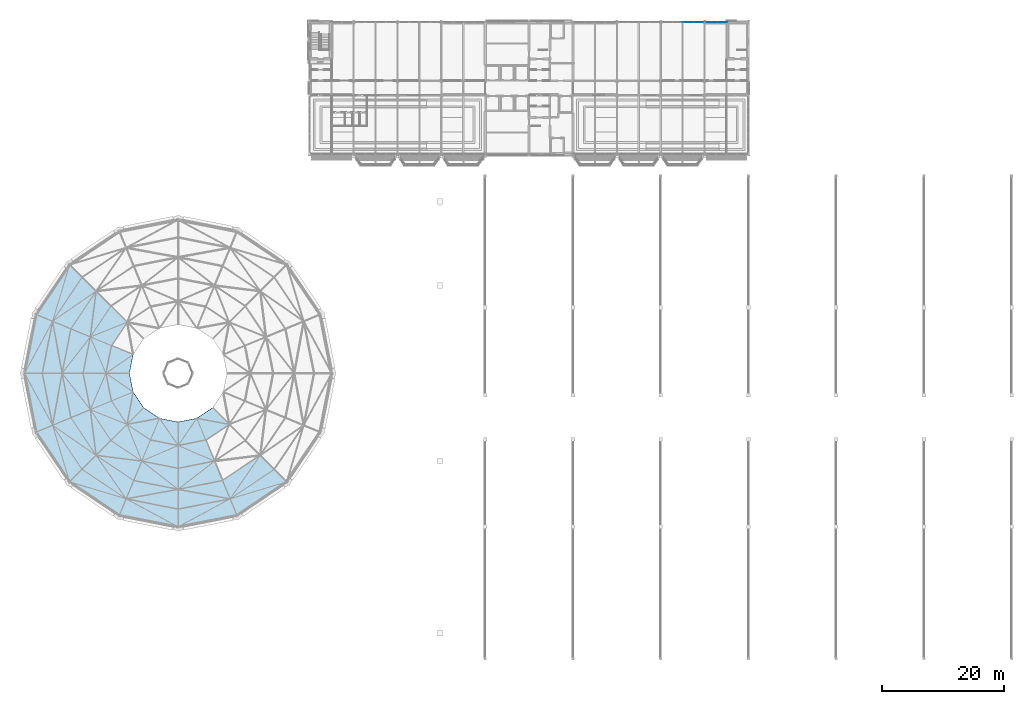
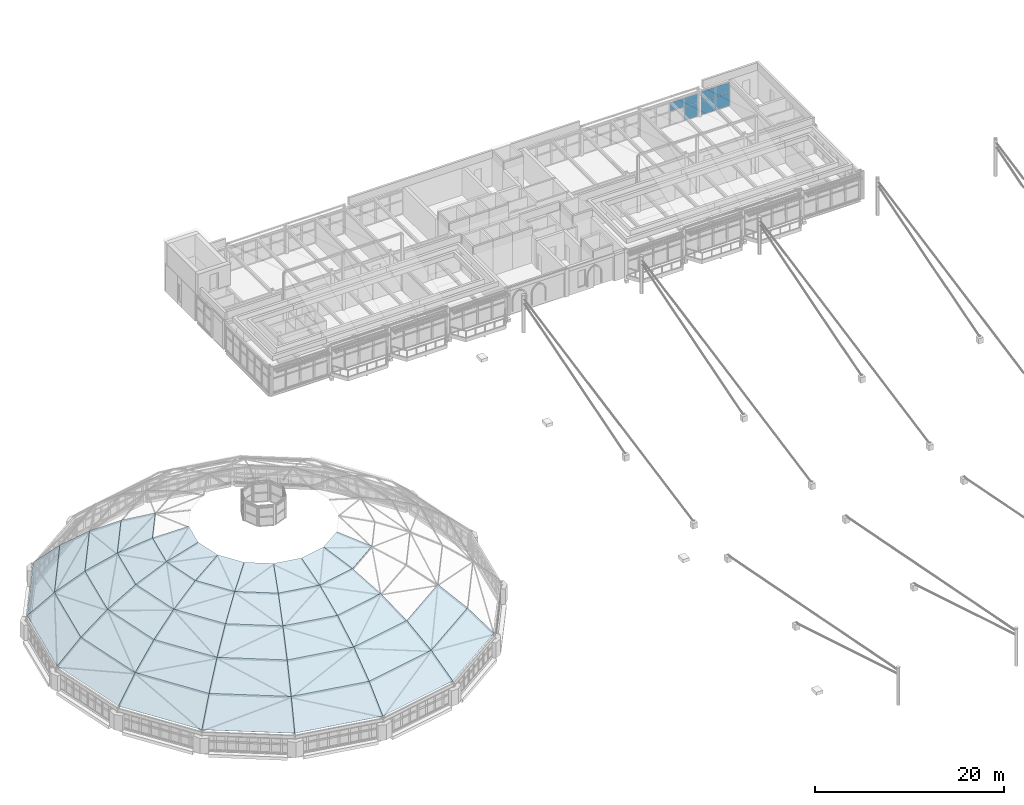
# One storey, part 47 of 68: 37 slabs, 7 plates, 2 elements without a shape of their own.
"""IFC4 building model written with IfcOpenShell, lengths in metres."""

from ifc_helpers import new_model, si_unit, direction, frame, origin, origin_2d, place, context, subcontext, project, spatial, rectangle, extrude, faceted_brep, material, layer, layer_set, type_object, element, aggregate, save


model = new_model("IFC4")

# Units and contexts
model_context = context("Model", 3, precision=1e-05, world=origin(), true_north=direction((0.0, 1.0)))
body_context = subcontext(model_context, "Body", "Model", "MODEL_VIEW")
ifc_project = project(units=[si_unit("LENGTHUNIT", "METRE"), si_unit("AREAUNIT", "SQUARE_METRE"), si_unit("VOLUMEUNIT", "CUBIC_METRE"), si_unit("PLANEANGLEUNIT", "RADIAN"), si_unit("MASSUNIT", "GRAM", prefix="KILO")], contexts=[model_context])

# Site, building, storey
site_placement = place(None, origin())
site = spatial("IfcSite", under=ifc_project, at=site_placement, CompositionType="ELEMENT")
building_placement = place(site_placement, origin())
building = spatial("IfcBuilding", under=site, at=building_placement, Name="Kupolbacken Congress Centre", CompositionType="ELEMENT")
storey_placement = place(building_placement, frame((0.0, 0.0, 25.199951171875)))
storey = spatial("IfcBuildingStorey", under=building, at=storey_placement, Name="L07", CompositionType="ELEMENT", Elevation=25.199951171875)

# Slabs
ifc_material_1 = material(Name="Standing seam zinc roofing on boarding", Category="metal")
ifc_layer_1 = layer(ifc_material_1, 0.074951171875)
ifc_layer_set_1 = layer_set([ifc_layer_1], Name="Standing seam zinc roofing on boarding")
slab_type = type_object("IfcSlabType", Name="DS1 dome shell panel 75", PredefinedType="ROOF", material=ifc_layer_set_1)
slab_1_placement = place(storey_placement, origin())
element("IfcSlab", 1, at=slab_1_placement, inside=storey, type_object=slab_type, Name="DM/PNL007", PredefinedType="ROOF", context=body_context, shape_type="Brep", body=[
    faceted_brep([(25.380859375, 104.218994140625, 3.037353515625), (19.918212890625, 96.043701171875, 3.037353515625), (22.597412109375, 94.933837890625, 5.774658203125), (27.431640625, 102.16845703125, 5.774658203125), (27.467041015625, 102.133056640625, 5.7177734375), (22.6435546875, 94.914794921875, 5.7177734375), (19.96728515625, 96.0234375, 2.9833984375), (25.41845703125, 104.181396484375, 2.9833984375)], [[[0, 1, 2, 3]], [[4, 5, 6, 7]], [[0, 7, 6, 1]], [[1, 6, 5, 2]], [[2, 5, 4, 3]], [[3, 4, 7, 0]]]),
])
slab_2_placement = place(storey_placement, origin())
element("IfcSlab", 2, at=slab_2_placement, inside=storey, type_object=slab_type, Name="DM/PNL008", PredefinedType="ROOF", context=body_context, shape_type="Brep", body=[
    faceted_brep([(19.918212890625, 96.043701171875, 3.037353515625), (18.0, 86.39990234375, 3.037353515625), (20.89990234375, 86.39990234375, 5.774658203125), (22.597412109375, 94.933837890625, 5.774658203125), (22.6435546875, 94.914794921875, 5.7177734375), (20.949951171875, 86.39990234375, 5.7177734375), (18.052978515625, 86.39990234375, 2.9833984375), (19.96728515625, 96.0234375, 2.9833984375)], [[[0, 1, 2, 3]], [[4, 5, 6, 7]], [[0, 7, 6, 1]], [[1, 6, 5, 2]], [[2, 5, 4, 3]], [[3, 4, 7, 0]]]),
])
slab_3_placement = place(storey_placement, origin())
element("IfcSlab", 3, at=slab_3_placement, inside=storey, type_object=slab_type, Name="DM/PNL009", PredefinedType="ROOF", context=body_context, shape_type="Brep", body=[
    faceted_brep([(18.0, 86.39990234375, 3.037353515625), (19.918212890625, 76.75634765625, 3.037353515625), (22.597412109375, 77.8662109375, 5.774658203125), (20.89990234375, 86.39990234375, 5.774658203125), (20.949951171875, 86.39990234375, 5.7177734375), (22.6435546875, 77.88525390625, 5.7177734375), (19.96728515625, 76.776611328125, 2.9833984375), (18.052978515625, 86.39990234375, 2.9833984375)], [[[0, 1, 2, 3]], [[4, 5, 6, 7]], [[0, 7, 6, 1]], [[1, 6, 5, 2]], [[2, 5, 4, 3]], [[3, 4, 7, 0]]]),
])
slab_4_placement = place(storey_placement, origin())
element("IfcSlab", 4, at=slab_4_placement, inside=storey, type_object=slab_type, Name="DM/PNL010", PredefinedType="ROOF", context=body_context, shape_type="Brep", body=[
    faceted_brep([(19.918212890625, 76.75634765625, 3.037353515625), (25.380859375, 68.580810546875, 3.037353515625), (27.431640625, 70.631591796875, 5.774658203125), (22.597412109375, 77.8662109375, 5.774658203125), (22.6435546875, 77.88525390625, 5.7177734375), (27.467041015625, 70.6669921875, 5.7177734375), (25.41845703125, 68.618408203125, 2.983154296875), (19.96728515625, 76.776611328125, 2.9833984375)], [[[0, 1, 2, 3]], [[4, 5, 6, 7]], [[0, 7, 6, 1]], [[1, 6, 5, 2]], [[2, 5, 4, 3]], [[3, 4, 7, 0]]]),
])
slab_5_placement = place(storey_placement, origin())
element("IfcSlab", 5, at=slab_5_placement, inside=storey, type_object=slab_type, Name="DM/PNL011", PredefinedType="ROOF", context=body_context, shape_type="Brep", body=[
    faceted_brep([(25.380859375, 68.580810546875, 3.037353515625), (33.556396484375, 63.1181640625, 3.037353515625), (34.666259765625, 65.797607421875, 5.774658203125), (27.431640625, 70.631591796875, 5.774658203125), (27.467041015625, 70.6669921875, 5.7177734375), (34.685302734375, 65.84375, 5.7177734375), (33.57666015625, 63.167236328125, 2.9833984375), (25.41845703125, 68.618408203125, 2.9833984375)], [[[0, 1, 2, 3]], [[4, 5, 6, 7]], [[0, 7, 6, 1]], [[1, 6, 5, 2]], [[2, 5, 4, 3]], [[3, 4, 7, 0]]]),
])
slab_6_placement = place(storey_placement, origin())
element("IfcSlab", 6, at=slab_6_placement, inside=storey, type_object=slab_type, Name="DM/PNL012", PredefinedType="ROOF", context=body_context, shape_type="Brep", body=[
    faceted_brep([(33.556396484375, 63.1181640625, 3.037353515625), (43.199951171875, 61.199951171875, 3.037353515625), (43.199951171875, 64.10009765625, 5.774658203125), (34.666259765625, 65.797607421875, 5.774658203125), (34.685302734375, 65.84375, 5.7177734375), (43.199951171875, 64.150146484375, 5.7177734375), (43.199951171875, 61.2529296875, 2.9833984375), (33.57666015625, 63.167236328125, 2.9833984375)], [[[0, 1, 2, 3]], [[4, 5, 6, 7]], [[0, 7, 6, 1]], [[1, 6, 5, 2]], [[2, 5, 4, 3]], [[3, 4, 7, 0]]]),
])
slab_7_placement = place(storey_placement, origin())
element("IfcSlab", 7, at=slab_7_placement, inside=storey, type_object=slab_type, Name="DM/PNL013", PredefinedType="ROOF", context=body_context, shape_type="Brep", body=[
    faceted_brep([(43.199951171875, 61.199951171875, 3.037353515625), (52.843505859375, 63.1181640625, 3.037353515625), (51.73388671875, 65.797607421875, 5.774658203125), (43.199951171875, 64.10009765625, 5.774658203125), (43.199951171875, 64.150146484375, 5.7177734375), (51.71484375, 65.84375, 5.7177734375), (52.8232421875, 63.167236328125, 2.9833984375), (43.199951171875, 61.2529296875, 2.9833984375)], [[[0, 1, 2, 3]], [[4, 5, 6, 7]], [[0, 7, 6, 1]], [[1, 6, 5, 2]], [[2, 5, 4, 3]], [[3, 4, 7, 0]]]),
])
slab_8_placement = place(storey_placement, origin())
element("IfcSlab", 8, at=slab_8_placement, inside=storey, type_object=slab_type, Name="DM/PNL014", PredefinedType="ROOF", context=body_context, shape_type="Brep", body=[
    faceted_brep([(52.843505859375, 63.1181640625, 3.037353515625), (61.01904296875, 68.580810546875, 3.037353515625), (58.968505859375, 70.631591796875, 5.774658203125), (51.73388671875, 65.797607421875, 5.774658203125), (51.71484375, 65.84375, 5.7177734375), (58.93310546875, 70.6669921875, 5.7177734375), (60.9814453125, 68.618408203125, 2.9833984375), (52.8232421875, 63.167236328125, 2.9833984375)], [[[0, 1, 2, 3]], [[4, 5, 6, 7]], [[0, 7, 6, 1]], [[1, 6, 5, 2]], [[2, 5, 4, 3]], [[3, 4, 7, 0]]]),
])
slab_9_placement = place(storey_placement, origin())
element("IfcSlab", 9, at=slab_9_placement, inside=storey, type_object=slab_type, Name="DM/PNL023", PredefinedType="ROOF", context=body_context, shape_type="Brep", body=[
    faceted_brep([(27.431640625, 102.16845703125, 5.774658203125), (22.597412109375, 94.933837890625, 5.774658203125), (25.60009765625, 93.690185546875, 8.224609375), (29.729736328125, 99.870361328125, 8.224609375), (29.760009765625, 99.840087890625, 8.162353515625), (25.6396484375, 93.673828125, 8.162353515625), (22.6435546875, 94.914794921875, 5.7177734375), (27.467041015625, 102.133056640625, 5.7177734375)], [[[0, 1, 2, 3]], [[4, 5, 6, 7]], [[0, 7, 6, 1]], [[1, 6, 5, 2]], [[2, 5, 4, 3]], [[3, 4, 7, 0]]]),
])
slab_10_placement = place(storey_placement, origin())
element("IfcSlab", 10, at=slab_10_placement, inside=storey, type_object=slab_type, Name="DM/PNL024", PredefinedType="ROOF", context=body_context, shape_type="Brep", body=[
    faceted_brep([(22.597412109375, 94.933837890625, 5.774658203125), (20.89990234375, 86.39990234375, 5.774658203125), (24.14990234375, 86.39990234375, 8.224609375), (25.60009765625, 93.690185546875, 8.224609375), (25.6396484375, 93.673828125, 8.162353515625), (24.19287109375, 86.39990234375, 8.162353515625), (20.949951171875, 86.39990234375, 5.7177734375), (22.6435546875, 94.914794921875, 5.7177734375)], [[[0, 1, 2, 3]], [[4, 5, 6, 7]], [[0, 7, 6, 1]], [[1, 6, 5, 2]], [[2, 5, 4, 3]], [[3, 4, 7, 0]]]),
])
slab_11_placement = place(storey_placement, origin())
element("IfcSlab", 11, at=slab_11_placement, inside=storey, type_object=slab_type, Name="DM/PNL025", PredefinedType="ROOF", context=body_context, shape_type="Brep", body=[
    faceted_brep([(20.89990234375, 86.39990234375, 5.774658203125), (22.597412109375, 77.8662109375, 5.774658203125), (25.60009765625, 79.10986328125, 8.224609375), (24.14990234375, 86.39990234375, 8.224609375), (24.19287109375, 86.39990234375, 8.162353515625), (25.6396484375, 79.126220703125, 8.162353515625), (22.6435546875, 77.88525390625, 5.7177734375), (20.949951171875, 86.39990234375, 5.7177734375)], [[[0, 1, 2, 3]], [[4, 5, 6, 7]], [[0, 7, 6, 1]], [[1, 6, 5, 2]], [[2, 5, 4, 3]], [[3, 4, 7, 0]]]),
])
slab_12_placement = place(storey_placement, origin())
element("IfcSlab", 12, at=slab_12_placement, inside=storey, type_object=slab_type, Name="DM/PNL026", PredefinedType="ROOF", context=body_context, shape_type="Brep", body=[
    faceted_brep([(22.597412109375, 77.8662109375, 5.774658203125), (27.431640625, 70.631591796875, 5.774658203125), (29.729736328125, 72.9296875, 8.224609375), (25.60009765625, 79.10986328125, 8.224609375), (25.6396484375, 79.126220703125, 8.162353515625), (29.760009765625, 72.9599609375, 8.162353515625), (27.467041015625, 70.6669921875, 5.7177734375), (22.6435546875, 77.88525390625, 5.7177734375)], [[[0, 1, 2, 3]], [[4, 5, 6, 7]], [[0, 7, 6, 1]], [[1, 6, 5, 2]], [[2, 5, 4, 3]], [[3, 4, 7, 0]]]),
])
slab_13_placement = place(storey_placement, origin())
element("IfcSlab", 13, at=slab_13_placement, inside=storey, type_object=slab_type, Name="DM/PNL027", PredefinedType="ROOF", context=body_context, shape_type="Brep", body=[
    faceted_brep([(27.431640625, 70.631591796875, 5.774658203125), (34.666259765625, 65.797607421875, 5.774658203125), (35.909912109375, 68.800048828125, 8.224609375), (29.729736328125, 72.9296875, 8.224609375), (29.760009765625, 72.9599609375, 8.162353515625), (35.92626953125, 68.839599609375, 8.162353515625), (34.685302734375, 65.84375, 5.7177734375), (27.467041015625, 70.6669921875, 5.7177734375)], [[[0, 1, 2, 3]], [[4, 5, 6, 7]], [[0, 7, 6, 1]], [[1, 6, 5, 2]], [[2, 5, 4, 3]], [[3, 4, 7, 0]]]),
])
slab_14_placement = place(storey_placement, origin())
element("IfcSlab", 14, at=slab_14_placement, inside=storey, type_object=slab_type, Name="DM/PNL028", PredefinedType="ROOF", context=body_context, shape_type="Brep", body=[
    faceted_brep([(34.666259765625, 65.797607421875, 5.774658203125), (43.199951171875, 64.10009765625, 5.774658203125), (43.199951171875, 67.35009765625, 8.224609375), (35.909912109375, 68.800048828125, 8.224609375), (35.92626953125, 68.83984375, 8.162353515625), (43.199951171875, 67.39306640625, 8.162353515625), (43.199951171875, 64.150146484375, 5.7177734375), (34.685302734375, 65.84375, 5.7177734375)], [[[0, 1, 2, 3]], [[4, 5, 6, 7]], [[0, 7, 6, 1]], [[1, 6, 5, 2]], [[2, 5, 4, 3]], [[3, 4, 7, 0]]]),
])
slab_15_placement = place(storey_placement, origin())
element("IfcSlab", 15, at=slab_15_placement, inside=storey, type_object=slab_type, Name="DM/PNL029", PredefinedType="ROOF", context=body_context, shape_type="Brep", body=[
    faceted_brep([(43.199951171875, 64.10009765625, 5.774658203125), (51.73388671875, 65.797607421875, 5.774658203125), (50.490234375, 68.800048828125, 8.224609375), (43.199951171875, 67.35009765625, 8.224609375), (43.199951171875, 67.39306640625, 8.162353515625), (50.473876953125, 68.839599609375, 8.162353515625), (51.71484375, 65.84375, 5.7177734375), (43.199951171875, 64.150146484375, 5.7177734375)], [[[0, 1, 2, 3]], [[4, 5, 6, 7]], [[0, 7, 6, 1]], [[1, 6, 5, 2]], [[2, 5, 4, 3]], [[3, 4, 7, 0]]]),
])
slab_16_placement = place(storey_placement, origin())
element("IfcSlab", 16, at=slab_16_placement, inside=storey, type_object=slab_type, Name="DM/PNL030", PredefinedType="ROOF", context=body_context, shape_type="Brep", body=[
    faceted_brep([(51.73388671875, 65.797607421875, 5.774658203125), (58.968505859375, 70.631591796875, 5.774658203125), (56.67041015625, 72.9296875, 8.224609375), (50.490234375, 68.800048828125, 8.224609375), (50.473876953125, 68.83984375, 8.162353515625), (56.64013671875, 72.9599609375, 8.162353515625), (58.93310546875, 70.6669921875, 5.7177734375), (51.71484375, 65.84375, 5.7177734375)], [[[0, 1, 2, 3]], [[4, 5, 6, 7]], [[0, 7, 6, 1]], [[1, 6, 5, 2]], [[2, 5, 4, 3]], [[3, 4, 7, 0]]]),
])
slab_17_placement = place(storey_placement, origin())
element("IfcSlab", 17, at=slab_17_placement, inside=storey, type_object=slab_type, Name="DM/PNL039", PredefinedType="ROOF", context=body_context, shape_type="Brep", body=[
    faceted_brep([(29.729736328125, 99.870361328125, 8.224609375), (25.60009765625, 93.690185546875, 8.224609375), (28.78759765625, 92.369873046875, 10.224609375), (32.169189453125, 97.430908203125, 10.224609375), (32.194091796875, 97.406005859375, 10.15771484375), (28.820068359375, 92.3564453125, 10.15771484375), (25.6396484375, 93.673828125, 8.162353515625), (29.760009765625, 99.840087890625, 8.162353515625)], [[[0, 1, 2, 3]], [[4, 5, 6, 7]], [[0, 7, 6, 1]], [[1, 6, 5, 2]], [[2, 5, 4, 3]], [[3, 4, 7, 0]]]),
])
slab_18_placement = place(storey_placement, origin())
element("IfcSlab", 18, at=slab_18_placement, inside=storey, type_object=slab_type, Name="DM/PNL040", PredefinedType="ROOF", context=body_context, shape_type="Brep", body=[
    faceted_brep([(25.60009765625, 93.690185546875, 8.224609375), (24.14990234375, 86.39990234375, 8.224609375), (27.60009765625, 86.39990234375, 10.224609375), (28.78759765625, 92.369873046875, 10.224609375), (28.820068359375, 92.3564453125, 10.15771484375), (27.635009765625, 86.39990234375, 10.15771484375), (24.19287109375, 86.39990234375, 8.162353515625), (25.6396484375, 93.673828125, 8.162353515625)], [[[0, 1, 2, 3]], [[4, 5, 6, 7]], [[0, 7, 6, 1]], [[1, 6, 5, 2]], [[2, 5, 4, 3]], [[3, 4, 7, 0]]]),
])
slab_19_placement = place(storey_placement, origin())
element("IfcSlab", 19, at=slab_19_placement, inside=storey, type_object=slab_type, Name="DM/PNL041", PredefinedType="ROOF", context=body_context, shape_type="Brep", body=[
    faceted_brep([(24.14990234375, 86.39990234375, 8.224609375), (25.60009765625, 79.10986328125, 8.224609375), (28.78759765625, 80.43017578125, 10.224609375), (27.60009765625, 86.39990234375, 10.224609375), (27.635009765625, 86.39990234375, 10.15771484375), (28.820068359375, 80.443603515625, 10.15771484375), (25.6396484375, 79.126220703125, 8.162353515625), (24.19287109375, 86.39990234375, 8.162353515625)], [[[0, 1, 2, 3]], [[4, 5, 6, 7]], [[0, 7, 6, 1]], [[1, 6, 5, 2]], [[2, 5, 4, 3]], [[3, 4, 7, 0]]]),
])
slab_20_placement = place(storey_placement, origin())
element("IfcSlab", 20, at=slab_20_placement, inside=storey, type_object=slab_type, Name="DM/PNL042", PredefinedType="ROOF", context=body_context, shape_type="Brep", body=[
    faceted_brep([(25.60009765625, 79.10986328125, 8.224609375), (29.729736328125, 72.9296875, 8.224609375), (32.169189453125, 75.369140625, 10.224609375), (28.78759765625, 80.43017578125, 10.224609375), (28.81982421875, 80.443603515625, 10.157958984375), (32.19384765625, 75.393798828125, 10.15771484375), (29.760009765625, 72.9599609375, 8.162353515625), (25.6396484375, 79.126220703125, 8.162353515625)], [[[0, 1, 2, 3]], [[4, 5, 6, 7]], [[0, 7, 6, 1]], [[1, 6, 5, 2]], [[2, 5, 4, 3]], [[3, 4, 7, 0]]]),
])
slab_21_placement = place(storey_placement, origin())
element("IfcSlab", 21, at=slab_21_placement, inside=storey, type_object=slab_type, Name="DM/PNL043", PredefinedType="ROOF", context=body_context, shape_type="Brep", body=[
    faceted_brep([(29.729736328125, 72.9296875, 8.224609375), (35.909912109375, 68.800048828125, 8.224609375), (37.230224609375, 71.987548828125, 10.224609375), (32.169189453125, 75.369140625, 10.224609375), (32.194091796875, 75.39404296875, 10.15771484375), (37.24365234375, 72.02001953125, 10.15771484375), (35.92626953125, 68.839599609375, 8.162353515625), (29.760009765625, 72.9599609375, 8.162353515625)], [[[0, 1, 2, 3]], [[4, 5, 6, 7]], [[0, 7, 6, 1]], [[1, 6, 5, 2]], [[2, 5, 4, 3]], [[3, 4, 7, 0]]]),
])
slab_22_placement = place(storey_placement, origin())
element("IfcSlab", 22, at=slab_22_placement, inside=storey, type_object=slab_type, Name="DM/PNL044", PredefinedType="ROOF", context=body_context, shape_type="Brep", body=[
    faceted_brep([(35.909912109375, 68.800048828125, 8.224609375), (43.199951171875, 67.35009765625, 8.224609375), (43.199951171875, 70.800048828125, 10.224609375), (37.230224609375, 71.987548828125, 10.224609375), (37.24365234375, 72.019775390625, 10.15771484375), (43.199951171875, 70.8349609375, 10.15771484375), (43.199951171875, 67.39306640625, 8.162353515625), (35.92626953125, 68.839599609375, 8.162353515625)], [[[0, 1, 2, 3]], [[4, 5, 6, 7]], [[0, 7, 6, 1]], [[1, 6, 5, 2]], [[2, 5, 4, 3]], [[3, 4, 7, 0]]]),
])
slab_23_placement = place(storey_placement, origin())
element("IfcSlab", 23, at=slab_23_placement, inside=storey, type_object=slab_type, Name="DM/PNL045", PredefinedType="ROOF", context=body_context, shape_type="Brep", body=[
    faceted_brep([(43.199951171875, 67.35009765625, 8.224609375), (50.490234375, 68.800048828125, 8.224609375), (49.169921875, 71.987548828125, 10.224609375), (43.199951171875, 70.800048828125, 10.224609375), (43.199951171875, 70.835205078125, 10.15771484375), (49.156494140625, 72.02001953125, 10.15771484375), (50.473876953125, 68.839599609375, 8.162353515625), (43.199951171875, 67.39306640625, 8.162353515625)], [[[0, 1, 2, 3]], [[4, 5, 6, 7]], [[0, 7, 6, 1]], [[1, 6, 5, 2]], [[2, 5, 4, 3]], [[3, 4, 7, 0]]]),
])
slab_24_placement = place(storey_placement, origin())
element("IfcSlab", 24, at=slab_24_placement, inside=storey, type_object=slab_type, Name="DM/PNL055", PredefinedType="ROOF", context=body_context, shape_type="Brep", body=[
    faceted_brep([(32.169189453125, 97.430908203125, 10.224609375), (28.78759765625, 92.369873046875, 10.224609375), (32.251953125, 90.934814453125, 11.84912109375), (34.82080078125, 94.779296875, 11.84912109375), (34.839599609375, 94.760498046875, 11.77880859375), (32.276611328125, 90.924560546875, 11.77880859375), (28.820068359375, 92.3564453125, 10.15771484375), (32.19384765625, 97.40625, 10.15771484375)], [[[0, 1, 2, 3]], [[4, 5, 6, 7]], [[0, 7, 6, 1]], [[1, 6, 5, 2]], [[2, 5, 4, 3]], [[3, 4, 7, 0]]]),
])
slab_25_placement = place(storey_placement, origin())
element("IfcSlab", 25, at=slab_25_placement, inside=storey, type_object=slab_type, Name="DM/PNL056", PredefinedType="ROOF", context=body_context, shape_type="Brep", body=[
    faceted_brep([(28.78759765625, 92.369873046875, 10.224609375), (27.60009765625, 86.39990234375, 10.224609375), (31.35009765625, 86.39990234375, 11.84912109375), (32.251953125, 90.934814453125, 11.84912109375), (32.276611328125, 90.924560546875, 11.778564453125), (31.376708984375, 86.39990234375, 11.77880859375), (27.63525390625, 86.39990234375, 10.15771484375), (28.820068359375, 92.3564453125, 10.15771484375)], [[[0, 1, 2, 3]], [[4, 5, 6, 7]], [[0, 7, 6, 1]], [[1, 6, 5, 2]], [[2, 5, 4, 3]], [[3, 4, 7, 0]]]),
])
slab_26_placement = place(storey_placement, origin())
element("IfcSlab", 26, at=slab_26_placement, inside=storey, type_object=slab_type, Name="DM/PNL057", PredefinedType="ROOF", context=body_context, shape_type="Brep", body=[
    faceted_brep([(27.60009765625, 86.39990234375, 10.224609375), (28.78759765625, 80.43017578125, 10.224609375), (32.251953125, 81.865234375, 11.84912109375), (31.35009765625, 86.39990234375, 11.84912109375), (31.376708984375, 86.39990234375, 11.77880859375), (32.276611328125, 81.87548828125, 11.77880859375), (28.81982421875, 80.443603515625, 10.15771484375), (27.635009765625, 86.39990234375, 10.15771484375)], [[[0, 1, 2, 3]], [[4, 5, 6, 7]], [[0, 7, 6, 1]], [[1, 6, 5, 2]], [[2, 5, 4, 3]], [[3, 4, 7, 0]]]),
])
slab_27_placement = place(storey_placement, origin())
element("IfcSlab", 27, at=slab_27_placement, inside=storey, type_object=slab_type, Name="DM/PNL058", PredefinedType="ROOF", context=body_context, shape_type="Brep", body=[
    faceted_brep([(28.78759765625, 80.43017578125, 10.224609375), (32.169189453125, 75.369140625, 10.224609375), (34.82080078125, 78.020751953125, 11.84912109375), (32.251953125, 81.865234375, 11.84912109375), (32.276611328125, 81.87548828125, 11.778564453125), (34.839599609375, 78.03955078125, 11.77880859375), (32.19384765625, 75.393798828125, 10.15771484375), (28.820068359375, 80.443603515625, 10.15771484375)], [[[0, 1, 2, 3]], [[4, 5, 6, 7]], [[0, 7, 6, 1]], [[1, 6, 5, 2]], [[2, 5, 4, 3]], [[3, 4, 7, 0]]]),
])
slab_28_placement = place(storey_placement, origin())
element("IfcSlab", 28, at=slab_28_placement, inside=storey, type_object=slab_type, Name="DM/PNL059", PredefinedType="ROOF", context=body_context, shape_type="Brep", body=[
    faceted_brep([(32.169189453125, 75.369140625, 10.224609375), (37.230224609375, 71.987548828125, 10.224609375), (38.665283203125, 75.4521484375, 11.84912109375), (34.82080078125, 78.020751953125, 11.84912109375), (34.839599609375, 78.03955078125, 11.778564453125), (38.675537109375, 75.476806640625, 11.77880859375), (37.24365234375, 72.02001953125, 10.15771484375), (32.19384765625, 75.393798828125, 10.15771484375)], [[[0, 1, 2, 3]], [[4, 5, 6, 7]], [[0, 7, 6, 1]], [[1, 6, 5, 2]], [[2, 5, 4, 3]], [[3, 4, 7, 0]]]),
])
slab_29_placement = place(storey_placement, origin())
element("IfcSlab", 29, at=slab_29_placement, inside=storey, type_object=slab_type, Name="DM/PNL060", PredefinedType="ROOF", context=body_context, shape_type="Brep", body=[
    faceted_brep([(37.230224609375, 71.987548828125, 10.224609375), (43.199951171875, 70.800048828125, 10.224609375), (43.199951171875, 74.550048828125, 11.84912109375), (38.665283203125, 75.4521484375, 11.84912109375), (38.675537109375, 75.476806640625, 11.77880859375), (43.199951171875, 74.57666015625, 11.77880859375), (43.199951171875, 70.8349609375, 10.15771484375), (37.24365234375, 72.02001953125, 10.15771484375)], [[[0, 1, 2, 3]], [[4, 5, 6, 7]], [[0, 7, 6, 1]], [[1, 6, 5, 2]], [[2, 5, 4, 3]], [[3, 4, 7, 0]]]),
])
slab_30_placement = place(storey_placement, origin())
element("IfcSlab", 30, at=slab_30_placement, inside=storey, type_object=slab_type, Name="DM/PNL061", PredefinedType="ROOF", context=body_context, shape_type="Brep", body=[
    faceted_brep([(43.199951171875, 70.800048828125, 10.224609375), (49.169921875, 71.987548828125, 10.224609375), (47.73486328125, 75.4521484375, 11.84912109375), (43.199951171875, 74.550048828125, 11.84912109375), (43.199951171875, 74.57666015625, 11.778564453125), (47.724609375, 75.476806640625, 11.77880859375), (49.156494140625, 72.02001953125, 10.15771484375), (43.199951171875, 70.8349609375, 10.15771484375)], [[[0, 1, 2, 3]], [[4, 5, 6, 7]], [[0, 7, 6, 1]], [[1, 6, 5, 2]], [[2, 5, 4, 3]], [[3, 4, 7, 0]]]),
])
slab_31_placement = place(storey_placement, origin())
element("IfcSlab", 31, at=slab_31_placement, inside=storey, type_object=slab_type, Name="DM/PNL072", PredefinedType="ROOF", context=body_context, shape_type="Brep", body=[
    faceted_brep([(32.251953125, 90.934814453125, 11.84912109375), (31.35009765625, 86.39990234375, 11.84912109375), (35.199951171875, 86.39990234375, 12.999267578125), (35.80908203125, 89.46142578125, 12.999267578125), (35.82568359375, 89.45458984375, 12.92626953125), (35.218017578125, 86.39990234375, 12.92626953125), (31.376708984375, 86.39990234375, 11.77880859375), (32.276611328125, 90.924560546875, 11.77880859375)], [[[0, 1, 2, 3]], [[4, 5, 6, 7]], [[0, 7, 6, 1]], [[1, 6, 5, 2]], [[2, 5, 4, 3]], [[3, 4, 7, 0]]]),
])
slab_32_placement = place(storey_placement, origin())
element("IfcSlab", 32, at=slab_32_placement, inside=storey, type_object=slab_type, Name="DM/PNL073", PredefinedType="ROOF", context=body_context, shape_type="Brep", body=[
    faceted_brep([(31.35009765625, 86.39990234375, 11.84912109375), (32.251953125, 81.865234375, 11.84912109375), (35.80908203125, 83.338623046875, 12.999267578125), (35.199951171875, 86.39990234375, 12.999267578125), (35.218017578125, 86.39990234375, 12.92626953125), (35.82568359375, 83.345458984375, 12.92626953125), (32.276611328125, 81.87548828125, 11.778564453125), (31.376708984375, 86.39990234375, 11.77880859375)], [[[0, 1, 2, 3]], [[4, 5, 6, 7]], [[0, 7, 6, 1]], [[1, 6, 5, 2]], [[2, 5, 4, 3]], [[3, 4, 7, 0]]]),
])
slab_33_placement = place(storey_placement, origin())
element("IfcSlab", 33, at=slab_33_placement, inside=storey, type_object=slab_type, Name="DM/PNL074", PredefinedType="ROOF", context=body_context, shape_type="Brep", body=[
    faceted_brep([(32.251953125, 81.865234375, 11.84912109375), (34.82080078125, 78.020751953125, 11.84912109375), (37.543212890625, 80.7431640625, 12.999267578125), (35.80908203125, 83.338623046875, 12.999267578125), (35.82568359375, 83.345458984375, 12.92626953125), (37.555908203125, 80.755859375, 12.92626953125), (34.839599609375, 78.03955078125, 11.77880859375), (32.276611328125, 81.87548828125, 11.77880859375)], [[[0, 1, 2, 3]], [[4, 5, 6, 7]], [[0, 7, 6, 1]], [[1, 6, 5, 2]], [[2, 5, 4, 3]], [[3, 4, 7, 0]]]),
])
slab_34_placement = place(storey_placement, origin())
element("IfcSlab", 34, at=slab_34_placement, inside=storey, type_object=slab_type, Name="DM/PNL075", PredefinedType="ROOF", context=body_context, shape_type="Brep", body=[
    faceted_brep([(34.82080078125, 78.020751953125, 11.84912109375), (38.665283203125, 75.4521484375, 11.84912109375), (40.138427734375, 79.009033203125, 12.999267578125), (37.543212890625, 80.7431640625, 12.999267578125), (37.555908203125, 80.755859375, 12.92626953125), (40.145263671875, 79.025634765625, 12.92626953125), (38.675537109375, 75.476806640625, 11.77880859375), (34.839599609375, 78.03955078125, 11.77880859375)], [[[0, 1, 2, 3]], [[4, 5, 6, 7]], [[0, 7, 6, 1]], [[1, 6, 5, 2]], [[2, 5, 4, 3]], [[3, 4, 7, 0]]]),
])
slab_35_placement = place(storey_placement, origin())
element("IfcSlab", 35, at=slab_35_placement, inside=storey, type_object=slab_type, Name="DM/PNL076", PredefinedType="ROOF", context=body_context, shape_type="Brep", body=[
    faceted_brep([(38.665283203125, 75.4521484375, 11.84912109375), (43.199951171875, 74.550048828125, 11.84912109375), (43.199951171875, 78.39990234375, 12.999267578125), (40.138427734375, 79.009033203125, 12.999267578125), (40.145263671875, 79.025634765625, 12.92626953125), (43.199951171875, 78.41796875, 12.92626953125), (43.199951171875, 74.57666015625, 11.77880859375), (38.675537109375, 75.476806640625, 11.77880859375)], [[[0, 1, 2, 3]], [[4, 5, 6, 7]], [[0, 7, 6, 1]], [[1, 6, 5, 2]], [[2, 5, 4, 3]], [[3, 4, 7, 0]]]),
])
slab_36_placement = place(storey_placement, origin())
element("IfcSlab", 36, at=slab_36_placement, inside=storey, type_object=slab_type, Name="DM/PNL077", PredefinedType="ROOF", context=body_context, shape_type="Brep", body=[
    faceted_brep([(43.199951171875, 74.550048828125, 11.84912109375), (47.73486328125, 75.4521484375, 11.84912109375), (46.261474609375, 79.009033203125, 12.999267578125), (43.199951171875, 78.39990234375, 12.999267578125), (43.199951171875, 78.41796875, 12.92626953125), (46.254638671875, 79.025634765625, 12.92626953125), (47.724609375, 75.476806640625, 11.778564453125), (43.199951171875, 74.57666015625, 11.77880859375)], [[[0, 1, 2, 3]], [[4, 5, 6, 7]], [[0, 7, 6, 1]], [[1, 6, 5, 2]], [[2, 5, 4, 3]], [[3, 4, 7, 0]]]),
])
slab_37_placement = place(storey_placement, origin())
element("IfcSlab", 37, at=slab_37_placement, inside=storey, type_object=slab_type, Name="DM/PNL078", PredefinedType="ROOF", context=body_context, shape_type="Brep", body=[
    faceted_brep([(47.73486328125, 75.4521484375, 11.84912109375), (51.5791015625, 78.020751953125, 11.84912109375), (48.85693359375, 80.7431640625, 12.999267578125), (46.261474609375, 79.009033203125, 12.999267578125), (46.254638671875, 79.025634765625, 12.92626953125), (48.84423828125, 80.755859375, 12.92626953125), (51.560302734375, 78.03955078125, 11.77880859375), (47.724609375, 75.476806640625, 11.77880859375)], [[[0, 1, 2, 3]], [[4, 5, 6, 7]], [[0, 7, 6, 1]], [[1, 6, 5, 2]], [[2, 5, 4, 3]], [[3, 4, 7, 0]]]),
])

# Curtain wall, plates
ifc_material_2 = material(Name="Aluminium mullion-transom frame with glass", Category="aluminium")
curtain_wall_type = type_object("IfcCurtainWallType", Name="CW1 curtain wall 7200x3600", PredefinedType="NOTDEFINED", material=ifc_material_2)
curtain_wall_1_placement = place(storey_placement, origin())
curtain_wall_1 = element("IfcCurtainWall", 38, at=curtain_wall_1_placement, inside=storey, type_object=curtain_wall_type, Name="E/T/N/L07/103/g0", PredefinedType="NOTDEFINED")
ifc_material_3 = material(Name="Glass", Category="glass")
ifc_layer_2 = layer(ifc_material_3, 0.035888671875)
ifc_layer_set_2 = layer_set([ifc_layer_2], Name="Glass")
plate_type = type_object("IfcPlateType", Name="GL2 glass panel 36", PredefinedType="CURTAIN_PANEL", material=ifc_layer_set_2)
plate_1_placement = place(storey_placement, frame((132.475830078125, 144.0, 0.050048828125), z_axis=(0.0, 0.0, 1.0), x_axis=(-1.0, 0.0, 0.0)))
plate_1 = element("IfcPlate", 39, at=plate_1_placement, type_object=plate_type, Name="CW1 panel 1.1", PredefinedType="CURTAIN_PANEL", context=body_context, shape_type="SweptSolid", body=[
    extrude(rectangle(XDim=1.748291015625, YDim=0.035888671875, at=origin_2d()), origin(), (0.0, 0.0, 1.0), 1.72509765625),
])
plate_2_placement = place(storey_placement, frame((132.475830078125, 144.0, 1.8251953125), z_axis=(0.0, 0.0, 1.0), x_axis=(-1.0, 0.0, 0.0)))
plate_2 = element("IfcPlate", 40, at=plate_2_placement, type_object=plate_type, Name="CW1 panel 1.2", PredefinedType="CURTAIN_PANEL", context=body_context, shape_type="SweptSolid", body=[
    extrude(rectangle(XDim=1.748291015625, YDim=0.035888671875, at=origin_2d()), origin(), (0.0, 0.0, 1.0), 1.215087890625),
])
plate_3_placement = place(storey_placement, frame((130.677734375, 144.0, 0.050048828125), z_axis=(0.0, 0.0, 1.0), x_axis=(-1.0, 0.0, 0.0)))
plate_3 = element("IfcPlate", 41, at=plate_3_placement, type_object=plate_type, Name="CW1 panel 2.1", PredefinedType="CURTAIN_PANEL", context=body_context, shape_type="SweptSolid", body=[
    extrude(rectangle(XDim=1.748291015625, YDim=0.035888671875, at=origin_2d()), origin(), (0.0, 0.0, 1.0), 1.72509765625),
])
plate_4_placement = place(storey_placement, frame((130.677734375, 144.0, 1.8251953125), z_axis=(0.0, 0.0, 1.0), x_axis=(-1.0, 0.0, 0.0)))
plate_4 = element("IfcPlate", 42, at=plate_4_placement, type_object=plate_type, Name="CW1 panel 2.2", PredefinedType="CURTAIN_PANEL", context=body_context, shape_type="SweptSolid", body=[
    extrude(rectangle(XDim=1.748291015625, YDim=0.035888671875, at=origin_2d()), origin(), (0.0, 0.0, 1.0), 1.215087890625),
])
aggregate(curtain_wall_1, [plate_1, plate_2, plate_3, plate_4])

curtain_wall_2_placement = place(storey_placement, origin())
curtain_wall_2 = element("IfcCurtainWall", 43, at=curtain_wall_2_placement, inside=storey, type_object=curtain_wall_type, Name="E/T/N/L07/104/g0", PredefinedType="NOTDEFINED")
plate_5_placement = place(storey_placement, frame((128.572265625, 144.0, 0.050048828125), z_axis=(0.0, 0.0, 1.0), x_axis=(-1.0, 0.0, 0.0)))
plate_5 = element("IfcPlate", 44, at=plate_5_placement, type_object=plate_type, Name="CW1 panel 1.1", PredefinedType="CURTAIN_PANEL", context=body_context, shape_type="SweptSolid", body=[
    extrude(rectangle(XDim=1.648193359375, YDim=0.035888671875, at=origin_2d()), origin(), (0.0, 0.0, 1.0), 1.72509765625),
])
plate_6_placement = place(storey_placement, frame((128.572265625, 144.0, 1.8251953125), z_axis=(0.0, 0.0, 1.0), x_axis=(-1.0, 0.0, 0.0)))
plate_6 = element("IfcPlate", 45, at=plate_6_placement, type_object=plate_type, Name="CW1 panel 1.2", PredefinedType="CURTAIN_PANEL", context=body_context, shape_type="SweptSolid", body=[
    extrude(rectangle(XDim=1.648193359375, YDim=0.035888671875, at=origin_2d()), origin(), (0.0, 0.0, 1.0), 1.114990234375),
])
plate_7_placement = place(storey_placement, frame((126.861572265625, 144.0, 1.8251953125), z_axis=(0.0, 0.0, 1.0), x_axis=(-1.0, 0.0, 0.0)))
plate_7 = element("IfcPlate", 46, at=plate_7_placement, type_object=plate_type, Name="CW1 panel 2.2", PredefinedType="CURTAIN_PANEL", context=body_context, shape_type="SweptSolid", body=[
    extrude(rectangle(XDim=1.67333984375, YDim=0.035888671875, at=origin_2d()), origin(), (0.0, 0.0, 1.0), 1.114990234375),
])
aggregate(curtain_wall_2, [plate_5, plate_6, plate_7])

save(model, "model.ifc")
